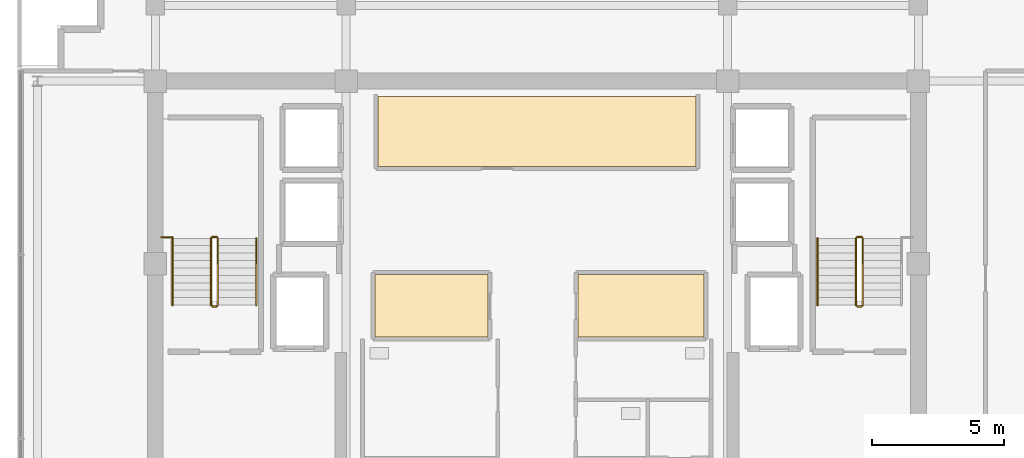
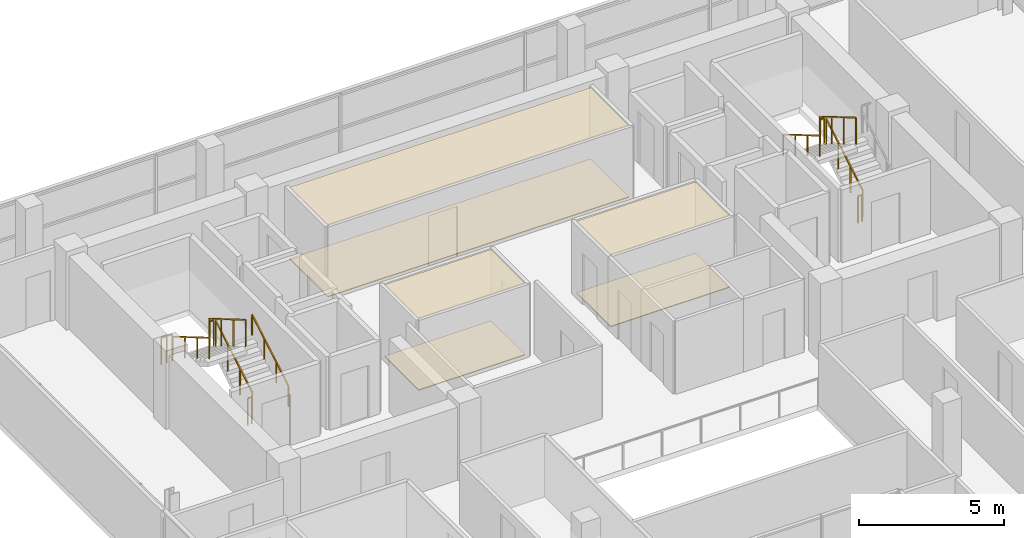
# One storey, part 20 of 22: 12 railings, 6 coverings.
"""IFC4 building model written with IfcOpenShell, lengths in metres."""

from ifc_helpers import new_model, si_unit, direction, frame, origin, origin_2d, place, context, subcontext, project, spatial, polyline, rectangle, outline, extrude, material, layer, layer_set, type_object, element, save


model = new_model("IFC4")

# Units and contexts
model_context = context("Model", 3, precision=1e-05, world=origin(), true_north=direction((0.0, 1.0)))
body_context = subcontext(model_context, "Body", "Model", "MODEL_VIEW")
ifc_project = project(units=[si_unit("LENGTHUNIT", "METRE"), si_unit("AREAUNIT", "SQUARE_METRE"), si_unit("VOLUMEUNIT", "CUBIC_METRE"), si_unit("PLANEANGLEUNIT", "RADIAN"), si_unit("MASSUNIT", "GRAM", prefix="KILO")], contexts=[model_context])

# Site, building, storey
site_placement = place(None, origin())
site = spatial("IfcSite", under=ifc_project, at=site_placement, CompositionType="ELEMENT")
building_placement = place(site_placement, origin())
building = spatial("IfcBuilding", under=site, at=building_placement, Name="Zarnakvel Exchange Tower", CompositionType="ELEMENT")
storey_placement = place(building_placement, frame((0.0, 0.0, 238.60009765625)))
storey = spatial("IfcBuildingStorey", under=building, at=storey_placement, Name="L67", CompositionType="ELEMENT", Elevation=238.60009765625)

# Coverings
ifc_material_1 = material(Name="Perforated Bronze Acoustic Metal Ceiling", Category="aluminium")
ifc_layer_1 = layer(ifc_material_1, 0.02001953125)
ifc_layer_set_1 = layer_set([ifc_layer_1], Name="Perforated Bronze Acoustic Metal Ceiling")
covering_type_1 = type_object("IfcCoveringType", Name="CLG-01", PredefinedType="CEILING", material=ifc_layer_set_1)
covering_1_placement = place(storey_placement, frame((0.0, 0.0, 3.014892578125)))
element("IfcCovering", 1, at=covering_1_placement, inside=storey, type_object=covering_type_1, Name="L67 Suspended Acoustic Ceiling (Market Data Archive Suite)", PredefinedType="CEILING", context=body_context, shape_type="SweptSolid", body=[
    extrude(outline(polyline([(-6.0, 12.919921875), (6.0, 12.919921875), (6.0, 10.280029296875), (-6.0, 10.280029296875), (-6.0, 12.919921875)])), origin(), (0.0, 0.0, 1.0), 0.02001953125),
])
covering_2_placement = place(storey_placement, frame((0.0, 0.0, 3.014892578125)))
element("IfcCovering", 2, at=covering_2_placement, inside=storey, type_object=covering_type_1, Name="L67 Suspended Acoustic Ceiling (Sovereign Compliance Office)", PredefinedType="CEILING", context=body_context, shape_type="SweptSolid", body=[
    extrude(outline(polyline([(-6.10009765625, 6.199951171875), (-1.85009765625, 6.199951171875), (-1.85009765625, 3.840087890625), (-6.10009765625, 3.840087890625), (-6.10009765625, 6.199951171875)])), origin(), (0.0, 0.0, 1.0), 0.02001953125),
])
covering_3_placement = place(storey_placement, frame((0.0, 0.0, 3.014892578125)))
element("IfcCovering", 3, at=covering_3_placement, inside=storey, type_object=covering_type_1, Name="L67 Suspended Acoustic Ceiling (Depository Legal Office)", PredefinedType="CEILING", context=body_context, shape_type="SweptSolid", body=[
    extrude(outline(polyline([(1.550048828125, 6.199951171875), (6.300048828125, 6.199951171875), (6.300048828125, 3.840087890625), (1.550048828125, 3.840087890625), (1.550048828125, 6.199951171875)])), origin(), (0.0, 0.0, 1.0), 0.02001953125),
])
ifc_material_2 = material(Name="Heavy-Duty Raised Access Floor Panel", Category="steel")
ifc_layer_2 = layer(ifc_material_2, 0.034912109375)
ifc_layer_set_2 = layer_set([ifc_layer_2], Name="Heavy-Duty Raised Access Floor Panel")
covering_type_2 = type_object("IfcCoveringType", Name="FLR-02", PredefinedType="FLOORING", material=ifc_layer_set_2)
covering_4_placement = place(storey_placement, origin())
element("IfcCovering", 4, at=covering_4_placement, inside=storey, type_object=covering_type_2, Name="L67 Floor Finish (Market Data Archive Suite)", PredefinedType="FLOORING", context=body_context, shape_type="SweptSolid", body=[
    extrude(outline(polyline([(-6.0, 12.919921875), (6.0, 12.919921875), (6.0, 10.280029296875), (-6.0, 10.280029296875), (-6.0, 12.919921875)])), origin(), (0.0, 0.0, 1.0), 0.034912109375),
])
covering_5_placement = place(storey_placement, origin())
element("IfcCovering", 5, at=covering_5_placement, inside=storey, type_object=covering_type_2, Name="L67 Floor Finish (Sovereign Compliance Office)", PredefinedType="FLOORING", context=body_context, shape_type="SweptSolid", body=[
    extrude(outline(polyline([(-6.10009765625, 6.199951171875), (-1.85009765625, 6.199951171875), (-1.85009765625, 3.840087890625), (-6.10009765625, 3.840087890625), (-6.10009765625, 6.199951171875)])), origin(), (0.0, 0.0, 1.0), 0.034912109375),
])
covering_6_placement = place(storey_placement, origin())
element("IfcCovering", 6, at=covering_6_placement, inside=storey, type_object=covering_type_2, Name="L67 Floor Finish (Depository Legal Office)", PredefinedType="FLOORING", context=body_context, shape_type="SweptSolid", body=[
    extrude(outline(polyline([(1.550048828125, 6.199951171875), (6.300048828125, 6.199951171875), (6.300048828125, 3.840087890625), (1.550048828125, 3.840087890625), (1.550048828125, 6.199951171875)])), origin(), (0.0, 0.0, 1.0), 0.034912109375),
])

# Railings
ifc_material_3 = material(Name="Brushed Stainless Steel", Category="steel")
railing_type_1 = type_object("IfcRailingType", Name="HR-01", PredefinedType="HANDRAIL", material=ifc_material_3)
railing_1_placement = place(storey_placement, frame((-10.590087890625, 5.050048828125, 0.164794921875)))
element("IfcRailing", 7, at=railing_1_placement, inside=storey, type_object=railing_type_1, Name="L67 ST-01 stair handrail 1", PredefinedType="HANDRAIL", context=body_context, shape_type="SweptSolid", body=[
    extrude(rectangle(XDim=0.048095703125, YDim=0.048095703125, at=origin_2d()), frame((0.0, 0.0, 0.8759765625), z_axis=(0.0, 0.86152411907, 0.507716645641), x_axis=(-1.0, 0.0, 0.0)), (0.0, 0.0, 1.0), 2.925048828125),
    extrude(rectangle(XDim=0.0419921875, YDim=0.0419921875, at=origin_2d()), origin(), (0.0, 0.0, 1.0), 0.851806640625),
    extrude(rectangle(XDim=0.0419921875, YDim=0.0419921875, at=origin_2d()), frame((0.0, 0.840087890625, 0.4951171875)), (0.0, 0.0, 1.0), 0.851806640625),
    extrude(rectangle(XDim=0.0419921875, YDim=0.0419921875, at=origin_2d()), frame((0.0, 1.679931640625, 0.989990234375)), (0.0, 0.0, 1.0), 0.851806640625),
    extrude(rectangle(XDim=0.0419921875, YDim=0.0419921875, at=origin_2d()), frame((0.0, 2.52001953125, 1.485107421875)), (0.0, 0.0, 1.0), 0.851806640625),
])
for number, where, name in (
    (8, (-13.75, 7.570068359375, 1.81494140625), "L67 ST-01 stair handrail 2"),
    (9, (10.590087890625, 7.570068359375, 1.81494140625), "L67 ST-02 stair handrail 2"),
):
    element("IfcRailing", number, at=place(storey_placement, frame(where)), inside=storey, type_object=railing_type_1, Name=name, PredefinedType="HANDRAIL", context=body_context, shape_type="SweptSolid", body=[
        extrude(rectangle(XDim=0.048095703125, YDim=0.048095703125, at=origin_2d()), frame((0.0, 0.0, 0.8759765625), z_axis=(0.0, -0.861560626758, 0.507654692109), x_axis=(1.0, 0.0, 0.0)), (0.0, 0.0, 1.0), 2.925048828125),
        extrude(rectangle(XDim=0.0419921875, YDim=0.0419921875, at=origin_2d()), origin(), (0.0, 0.0, 1.0), 0.851806640625),
        extrude(rectangle(XDim=0.0419921875, YDim=0.0419921875, at=origin_2d()), frame((0.0, -0.840087890625, 0.494873046875)), (0.0, 0.0, 1.0), 0.851806640625),
        extrude(rectangle(XDim=0.0419921875, YDim=0.0419921875, at=origin_2d()), frame((0.0, -1.679931640625, 0.989990234375)), (0.0, 0.0, 1.0), 0.851806640625),
        extrude(rectangle(XDim=0.0419921875, YDim=0.0419921875, at=origin_2d()), frame((0.0, -2.52001953125, 1.48486328125)), (0.0, 0.0, 1.0), 0.851806640625),
    ])
ifc_material_4 = material(Name="Architectural Bronze Anodised Aluminium", Category="aluminium")
railing_type_2 = type_object("IfcRailingType", Name="SG-01", PredefinedType="GUARDRAIL", material=ifc_material_4)
railing_2_placement = place(storey_placement, frame((-12.0400390625, 5.050048828125, 0.164794921875)))
element("IfcRailing", 10, at=railing_2_placement, inside=storey, type_object=railing_type_2, Name="L67 ST-01 stair guard 1", PredefinedType="GUARDRAIL", context=body_context, shape_type="SweptSolid", body=[
    extrude(rectangle(XDim=0.048095703125, YDim=0.048095703125, at=origin_2d()), frame((0.0, 0.0, 1.1259765625), z_axis=(0.0, 0.86152411907, 0.507716645641), x_axis=(-1.0, 0.0, 0.0)), (0.0, 0.0, 1.0), 2.925048828125),
    extrude(rectangle(XDim=0.0419921875, YDim=0.0419921875, at=origin_2d()), origin(), (0.0, 0.0, 1.0), 1.101806640625),
    extrude(rectangle(XDim=0.0419921875, YDim=0.0419921875, at=origin_2d()), frame((0.0, 0.840087890625, 0.4951171875)), (0.0, 0.0, 1.0), 1.101806640625),
    extrude(rectangle(XDim=0.0419921875, YDim=0.0419921875, at=origin_2d()), frame((0.0, 1.679931640625, 0.989990234375)), (0.0, 0.0, 1.0), 1.101806640625),
    extrude(rectangle(XDim=0.0419921875, YDim=0.0419921875, at=origin_2d()), frame((0.0, 2.52001953125, 1.485107421875)), (0.0, 0.0, 1.0), 1.101806640625),
])
railing_3_placement = place(storey_placement, frame((-12.090087890625, 7.6201171875, 1.64990234375)))
element("IfcRailing", 11, at=railing_3_placement, inside=storey, type_object=railing_type_2, Name="L67 ST-01 stair guard 2", PredefinedType="GUARDRAIL", context=body_context, shape_type="SweptSolid", body=[
    extrude(rectangle(XDim=0.048095703125, YDim=0.048095703125, at=origin_2d()), frame((0.0, 0.0, 1.1259765625), z_axis=(-1.0, 0.0, 0.0), x_axis=(0.0, -1.0, 0.0)), (0.0, 0.0, 1.0), 0.159912109375),
    extrude(rectangle(XDim=0.0419921875, YDim=0.0419921875, at=origin_2d()), origin(), (0.0, 0.0, 1.0), 1.101806640625),
    extrude(rectangle(XDim=0.0419921875, YDim=0.0419921875, at=origin_2d()), frame((-0.159912109375, 0.0, 0.0)), (0.0, 0.0, 1.0), 1.101806640625),
])
railing_4_placement = place(storey_placement, frame((-12.300048828125, 7.570068359375, 1.81494140625)))
element("IfcRailing", 12, at=railing_4_placement, inside=storey, type_object=railing_type_2, Name="L67 ST-01 stair guard 3", PredefinedType="GUARDRAIL", context=body_context, shape_type="SweptSolid", body=[
    extrude(rectangle(XDim=0.048095703125, YDim=0.048095703125, at=origin_2d()), frame((0.0, 0.0, 1.1259765625), z_axis=(0.0, -0.861560626758, 0.507654692109), x_axis=(1.0, 0.0, 0.0)), (0.0, 0.0, 1.0), 2.925048828125),
    extrude(rectangle(XDim=0.0419921875, YDim=0.0419921875, at=origin_2d()), origin(), (0.0, 0.0, 1.0), 1.101806640625),
    extrude(rectangle(XDim=0.0419921875, YDim=0.0419921875, at=origin_2d()), frame((0.0, -0.840087890625, 0.494873046875)), (0.0, 0.0, 1.0), 1.101806640625),
    extrude(rectangle(XDim=0.0419921875, YDim=0.0419921875, at=origin_2d()), frame((0.0, -1.679931640625, 0.989990234375)), (0.0, 0.0, 1.0), 1.101806640625),
    extrude(rectangle(XDim=0.0419921875, YDim=0.0419921875, at=origin_2d()), frame((0.0, -2.52001953125, 1.48486328125)), (0.0, 0.0, 1.0), 1.101806640625),
])
railing_5_placement = place(storey_placement, frame((-12.090087890625, 5.0, 0.0)))
element("IfcRailing", 13, at=railing_5_placement, inside=storey, type_object=railing_type_2, Name="L67 ST-01 stair guard 4", PredefinedType="GUARDRAIL", context=body_context, shape_type="SweptSolid", body=[
    extrude(rectangle(XDim=0.048095703125, YDim=0.048095703125, at=origin_2d()), frame((0.0, 0.0, 1.1259765625), z_axis=(-1.0, 0.0, 0.0), x_axis=(0.0, -1.0, 0.0)), (0.0, 0.0, 1.0), 0.159912109375),
    extrude(rectangle(XDim=0.0419921875, YDim=0.0419921875, at=origin_2d()), origin(), (0.0, 0.0, 1.0), 1.101806640625),
    extrude(rectangle(XDim=0.0419921875, YDim=0.0419921875, at=origin_2d()), frame((-0.159912109375, 0.0, 0.0)), (0.0, 0.0, 1.0), 1.101806640625),
])
railing_6_placement = place(storey_placement, frame((-14.179931640625, 7.610107421875, 1.64990234375)))
element("IfcRailing", 14, at=railing_6_placement, inside=storey, type_object=railing_type_2, Name="L67 ST-01 Landing Slot Guardrail", PredefinedType="GUARDRAIL", context=body_context, shape_type="SweptSolid", body=[
    extrude(rectangle(XDim=0.048095703125, YDim=0.048095703125, at=origin_2d()), frame((0.0, 0.0, 1.1259765625), z_axis=(1.0, 0.0, 0.0), x_axis=(0.0, 1.0, 0.0)), (0.0, 0.0, 1.0), 0.429931640625),
    extrude(rectangle(XDim=0.0419921875, YDim=0.0419921875, at=origin_2d()), origin(), (0.0, 0.0, 1.0), 1.101806640625),
    extrude(rectangle(XDim=0.0419921875, YDim=0.0419921875, at=origin_2d()), frame((0.21484375, 0.0, 0.0)), (0.0, 0.0, 1.0), 1.101806640625),
    extrude(rectangle(XDim=0.0419921875, YDim=0.0419921875, at=origin_2d()), frame((0.429931640625, 0.0, 0.0)), (0.0, 0.0, 1.0), 1.101806640625),
])
railing_7_placement = place(storey_placement, frame((12.300048828125, 5.050048828125, 0.164794921875)))
element("IfcRailing", 15, at=railing_7_placement, inside=storey, type_object=railing_type_2, Name="L67 ST-02 stair guard 1", PredefinedType="GUARDRAIL", context=body_context, shape_type="SweptSolid", body=[
    extrude(rectangle(XDim=0.048095703125, YDim=0.048095703125, at=origin_2d()), frame((0.0, 0.0, 1.1259765625), z_axis=(0.0, 0.86152411907, 0.507716645641), x_axis=(-1.0, 0.0, 0.0)), (0.0, 0.0, 1.0), 2.925048828125),
    extrude(rectangle(XDim=0.0419921875, YDim=0.0419921875, at=origin_2d()), origin(), (0.0, 0.0, 1.0), 1.101806640625),
    extrude(rectangle(XDim=0.0419921875, YDim=0.0419921875, at=origin_2d()), frame((0.0, 0.840087890625, 0.4951171875)), (0.0, 0.0, 1.0), 1.101806640625),
    extrude(rectangle(XDim=0.0419921875, YDim=0.0419921875, at=origin_2d()), frame((0.0, 1.679931640625, 0.989990234375)), (0.0, 0.0, 1.0), 1.101806640625),
    extrude(rectangle(XDim=0.0419921875, YDim=0.0419921875, at=origin_2d()), frame((0.0, 2.52001953125, 1.485107421875)), (0.0, 0.0, 1.0), 1.101806640625),
])
railing_8_placement = place(storey_placement, frame((12.25, 7.6201171875, 1.64990234375)))
element("IfcRailing", 16, at=railing_8_placement, inside=storey, type_object=railing_type_2, Name="L67 ST-02 stair guard 2", PredefinedType="GUARDRAIL", context=body_context, shape_type="SweptSolid", body=[
    extrude(rectangle(XDim=0.048095703125, YDim=0.048095703125, at=origin_2d()), frame((0.0, 0.0, 1.1259765625), z_axis=(-1.0, 0.0, 0.0), x_axis=(0.0, -1.0, 0.0)), (0.0, 0.0, 1.0), 0.159912109375),
    extrude(rectangle(XDim=0.0419921875, YDim=0.0419921875, at=origin_2d()), origin(), (0.0, 0.0, 1.0), 1.101806640625),
    extrude(rectangle(XDim=0.0419921875, YDim=0.0419921875, at=origin_2d()), frame((-0.159912109375, 0.0, 0.0)), (0.0, 0.0, 1.0), 1.101806640625),
])
railing_9_placement = place(storey_placement, frame((12.0400390625, 7.570068359375, 1.81494140625)))
element("IfcRailing", 17, at=railing_9_placement, inside=storey, type_object=railing_type_2, Name="L67 ST-02 stair guard 3", PredefinedType="GUARDRAIL", context=body_context, shape_type="SweptSolid", body=[
    extrude(rectangle(XDim=0.048095703125, YDim=0.048095703125, at=origin_2d()), frame((0.0, 0.0, 1.1259765625), z_axis=(0.0, -0.861560626758, 0.507654692109), x_axis=(1.0, 0.0, 0.0)), (0.0, 0.0, 1.0), 2.925048828125),
    extrude(rectangle(XDim=0.0419921875, YDim=0.0419921875, at=origin_2d()), origin(), (0.0, 0.0, 1.0), 1.101806640625),
    extrude(rectangle(XDim=0.0419921875, YDim=0.0419921875, at=origin_2d()), frame((0.0, -0.840087890625, 0.494873046875)), (0.0, 0.0, 1.0), 1.101806640625),
    extrude(rectangle(XDim=0.0419921875, YDim=0.0419921875, at=origin_2d()), frame((0.0, -1.679931640625, 0.989990234375)), (0.0, 0.0, 1.0), 1.101806640625),
    extrude(rectangle(XDim=0.0419921875, YDim=0.0419921875, at=origin_2d()), frame((0.0, -2.52001953125, 1.48486328125)), (0.0, 0.0, 1.0), 1.101806640625),
])
railing_10_placement = place(storey_placement, frame((12.25, 5.0, 0.0)))
element("IfcRailing", 18, at=railing_10_placement, inside=storey, type_object=railing_type_2, Name="L67 ST-02 stair guard 4", PredefinedType="GUARDRAIL", context=body_context, shape_type="SweptSolid", body=[
    extrude(rectangle(XDim=0.048095703125, YDim=0.048095703125, at=origin_2d()), frame((0.0, 0.0, 1.1259765625), z_axis=(-1.0, 0.0, 0.0), x_axis=(0.0, -1.0, 0.0)), (0.0, 0.0, 1.0), 0.159912109375),
    extrude(rectangle(XDim=0.0419921875, YDim=0.0419921875, at=origin_2d()), origin(), (0.0, 0.0, 1.0), 1.101806640625),
    extrude(rectangle(XDim=0.0419921875, YDim=0.0419921875, at=origin_2d()), frame((-0.159912109375, 0.0, 0.0)), (0.0, 0.0, 1.0), 1.101806640625),
])

save(model, "model.ifc")
